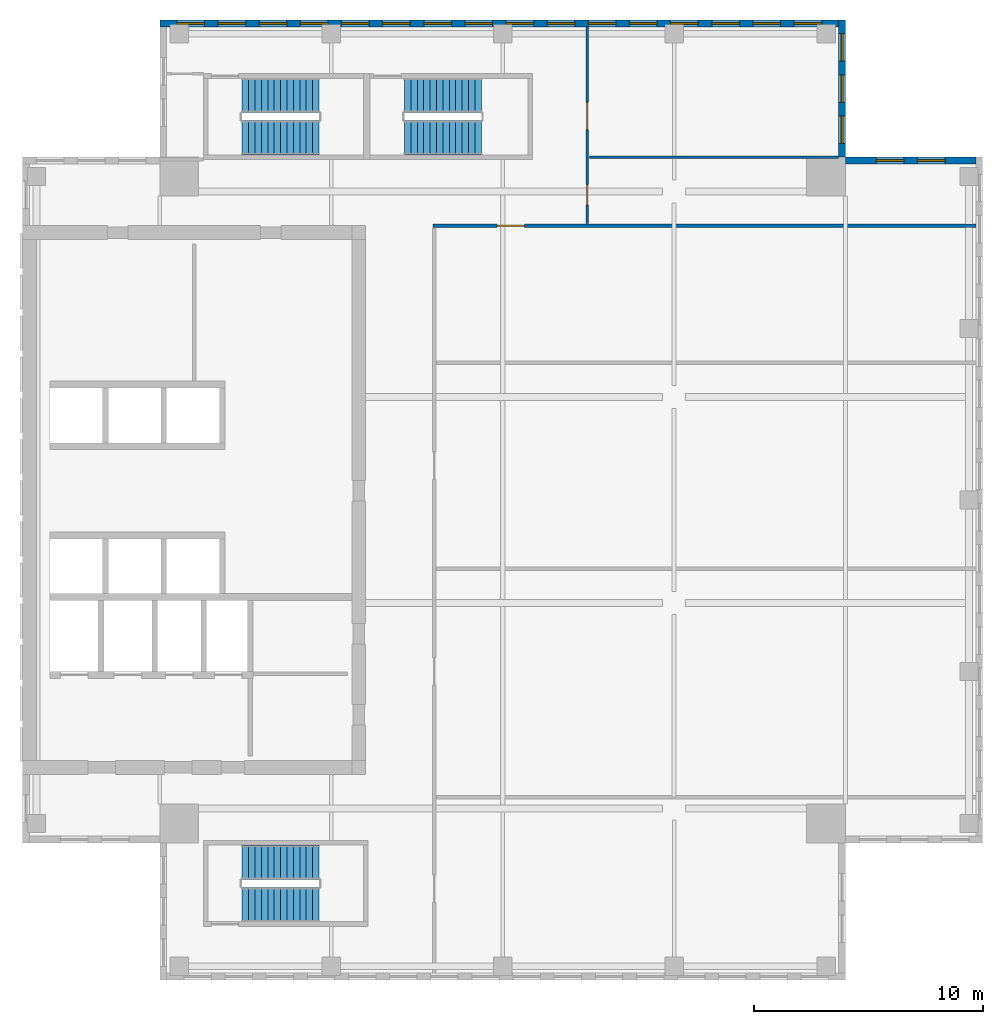
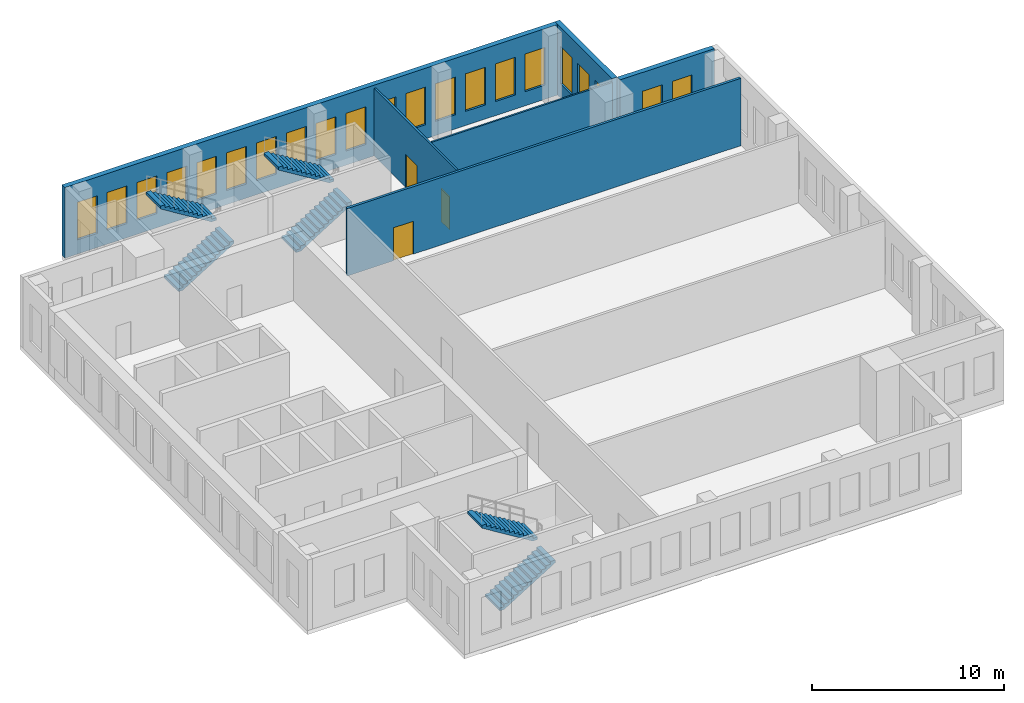
# One storey, part 5 of 6: 21 windows, 6 stair flights, 6 walls, 3 doors, 24 openings, 3 elements without a shape of their own.
"""IFC4 building model written with IfcOpenShell, lengths in metres."""

from ifc_helpers import new_model, si_unit, direction, frame, frame_2d, origin, place, context, subcontext, project, spatial, polyline, rectangle, outline, extrude, source, transform, mapped, material, layer, layer_set, type_object, element, fill, aggregate, save


model = new_model("IFC4")

# Units and contexts
model_context = context("Model", 3, precision=1e-05, world=origin(), true_north=direction((0.0, 1.0)))
body_context = subcontext(model_context, "Body", "Model", "MODEL_VIEW")
ifc_project = project(units=[si_unit("LENGTHUNIT", "METRE"), si_unit("AREAUNIT", "SQUARE_METRE"), si_unit("VOLUMEUNIT", "CUBIC_METRE"), si_unit("PLANEANGLEUNIT", "RADIAN"), si_unit("MASSUNIT", "GRAM", prefix="KILO")], contexts=[model_context])

# Site, building, storey
site_placement = place(None, origin())
site = spatial("IfcSite", under=ifc_project, at=site_placement, CompositionType="ELEMENT")
building_placement = place(site_placement, origin())
building = spatial("IfcBuilding", under=site, at=building_placement, Name="Khomas Fold Tower", CompositionType="ELEMENT")
storey_placement = place(building_placement, frame((0.0, 0.0, 330.199951171875)))
storey = spatial("IfcBuildingStorey", under=building, at=storey_placement, Name="C1", CompositionType="ELEMENT", Elevation=330.199951171875)

# Wall, openings, windows
ifc_material_1 = material(Name="Concrete C40/50", Category="concrete")
ifc_layer_1 = layer(ifc_material_1, 0.300048828125)
ifc_layer_set_1 = layer_set([ifc_layer_1], Name="Concrete C40/50")
wall_type_1 = type_object("IfcWallType", Name="Crown gable wall 300 CR-GW1", PredefinedType="SOLIDWALL", material=ifc_layer_set_1)
shared_shape_1 = source(origin(), body_context, "Body", "SweptSolid", [
    extrude(rectangle(XDim=29.699951171875, YDim=0.300048828125, at=frame_2d((14.85009765625, 0.0))), origin(), (0.0, 0.0, 1.0), 4.5),
])
wall_1_placement = place(storey_placement, frame((41.699951171875, 47.85009765625, 0.0), z_axis=(0.0, 0.0, 1.0), x_axis=(-1.0, 0.0, 0.0)))
wall_1 = element("IfcWall", 1, at=wall_1_placement, inside=storey, type_object=wall_type_1, Name="Crown wall", PredefinedType="SOLIDWALL", context=body_context, shape_type="MappedRepresentation", body=[
    mapped(shared_shape_1, transform((0.0, 0.0, 0.0))),
])
shared_shape_2 = source(origin(), body_context, "Body", "SweptSolid", [
    extrude(rectangle(XDim=1.199951171875, YDim=2.39990234375, at=frame_2d((0.60009765625, 1.199951171875))), frame((0.0, 0.159912109375, 0.0), z_axis=(0.0, -1.0, 0.0), x_axis=(1.0, 0.0, 0.0)), (0.0, 0.0, 1.0), 0.320068359375),
])
opening_1_placement = place(wall_1_placement, frame((0.75, 0.0, 0.89990234375)))
opening_1 = element("IfcOpeningElement", 2, at=opening_1_placement, cuts=wall_1, Name="Opening CR-LV", PredefinedType="OPENING", context=body_context, shape_type="MappedRepresentation", body=[
    mapped(shared_shape_2, transform((0.0, 0.0, 0.0))),
])
opening_2_placement = place(wall_1_placement, frame((2.550048828125, 0.0, 0.89990234375)))
opening_2 = element("IfcOpeningElement", 3, at=opening_2_placement, cuts=wall_1, Name="Opening CR-LV", PredefinedType="OPENING", context=body_context, shape_type="MappedRepresentation", body=[
    mapped(shared_shape_2, transform((0.0, 0.0, 0.0))),
])
opening_3_placement = place(wall_1_placement, frame((4.35009765625, 0.0, 0.89990234375)))
opening_3 = element("IfcOpeningElement", 4, at=opening_3_placement, cuts=wall_1, Name="Opening CR-LV", PredefinedType="OPENING", context=body_context, shape_type="MappedRepresentation", body=[
    mapped(shared_shape_2, transform((0.0, 0.0, 0.0))),
])
opening_4_placement = place(wall_1_placement, frame((6.14990234375, 0.0, 0.89990234375)))
opening_4 = element("IfcOpeningElement", 5, at=opening_4_placement, cuts=wall_1, Name="Opening CR-LV", PredefinedType="OPENING", context=body_context, shape_type="MappedRepresentation", body=[
    mapped(shared_shape_2, transform((0.0, 0.0, 0.0))),
])
opening_5_placement = place(wall_1_placement, frame((7.949951171875, 0.0, 0.89990234375)))
opening_5 = element("IfcOpeningElement", 6, at=opening_5_placement, cuts=wall_1, Name="Opening CR-LV", PredefinedType="OPENING", context=body_context, shape_type="MappedRepresentation", body=[
    mapped(shared_shape_2, transform((0.0, 0.0, 0.0))),
])
opening_6_placement = place(wall_1_placement, frame((9.75, 0.0, 0.89990234375)))
opening_6 = element("IfcOpeningElement", 7, at=opening_6_placement, cuts=wall_1, Name="Opening CR-LV", PredefinedType="OPENING", context=body_context, shape_type="MappedRepresentation", body=[
    mapped(shared_shape_2, transform((0.0, 0.0, 0.0))),
])
opening_7_placement = place(wall_1_placement, frame((11.550048828125, 0.0, 0.89990234375)))
opening_7 = element("IfcOpeningElement", 8, at=opening_7_placement, cuts=wall_1, Name="Opening CR-LV", PredefinedType="OPENING", context=body_context, shape_type="MappedRepresentation", body=[
    mapped(shared_shape_2, transform((0.0, 0.0, 0.0))),
])
opening_8_placement = place(wall_1_placement, frame((13.35009765625, 0.0, 0.89990234375)))
opening_8 = element("IfcOpeningElement", 9, at=opening_8_placement, cuts=wall_1, Name="Opening CR-LV", PredefinedType="OPENING", context=body_context, shape_type="MappedRepresentation", body=[
    mapped(shared_shape_2, transform((0.0, 0.0, 0.0))),
])
opening_9_placement = place(wall_1_placement, frame((15.14990234375, 0.0, 0.89990234375)))
opening_9 = element("IfcOpeningElement", 10, at=opening_9_placement, cuts=wall_1, Name="Opening CR-LV", PredefinedType="OPENING", context=body_context, shape_type="MappedRepresentation", body=[
    mapped(shared_shape_2, transform((0.0, 0.0, 0.0))),
])
opening_10_placement = place(wall_1_placement, frame((16.949951171875, 0.0, 0.89990234375)))
opening_10 = element("IfcOpeningElement", 11, at=opening_10_placement, cuts=wall_1, Name="Opening CR-LV", PredefinedType="OPENING", context=body_context, shape_type="MappedRepresentation", body=[
    mapped(shared_shape_2, transform((0.0, 0.0, 0.0))),
])
opening_11_placement = place(wall_1_placement, frame((18.75, 0.0, 0.89990234375)))
opening_11 = element("IfcOpeningElement", 12, at=opening_11_placement, cuts=wall_1, Name="Opening CR-LV", PredefinedType="OPENING", context=body_context, shape_type="MappedRepresentation", body=[
    mapped(shared_shape_2, transform((0.0, 0.0, 0.0))),
])
opening_12_placement = place(wall_1_placement, frame((20.550048828125, 0.0, 0.89990234375)))
opening_12 = element("IfcOpeningElement", 13, at=opening_12_placement, cuts=wall_1, Name="Opening CR-LV", PredefinedType="OPENING", context=body_context, shape_type="MappedRepresentation", body=[
    mapped(shared_shape_2, transform((0.0, 0.0, 0.0))),
])
opening_13_placement = place(wall_1_placement, frame((22.35009765625, 0.0, 0.89990234375)))
opening_13 = element("IfcOpeningElement", 14, at=opening_13_placement, cuts=wall_1, Name="Opening CR-LV", PredefinedType="OPENING", context=body_context, shape_type="MappedRepresentation", body=[
    mapped(shared_shape_2, transform((0.0, 0.0, 0.0))),
])
opening_14_placement = place(wall_1_placement, frame((24.14990234375, 0.0, 0.89990234375)))
opening_14 = element("IfcOpeningElement", 15, at=opening_14_placement, cuts=wall_1, Name="Opening CR-LV", PredefinedType="OPENING", context=body_context, shape_type="MappedRepresentation", body=[
    mapped(shared_shape_2, transform((0.0, 0.0, 0.0))),
])
opening_15_placement = place(wall_1_placement, frame((25.949951171875, 0.0, 0.89990234375)))
opening_15 = element("IfcOpeningElement", 16, at=opening_15_placement, cuts=wall_1, Name="Opening CR-LV", PredefinedType="OPENING", context=body_context, shape_type="MappedRepresentation", body=[
    mapped(shared_shape_2, transform((0.0, 0.0, 0.0))),
])
opening_16_placement = place(wall_1_placement, frame((27.75, 0.0, 0.89990234375)))
opening_16 = element("IfcOpeningElement", 17, at=opening_16_placement, cuts=wall_1, Name="Opening CR-LV", PredefinedType="OPENING", context=body_context, shape_type="MappedRepresentation", body=[
    mapped(shared_shape_2, transform((0.0, 0.0, 0.0))),
])
ifc_material_2 = material(Name="Aluminium louvre", Category="aluminium")
window_type = type_object("IfcWindowType", Name="Crown plant louvre 1200 x 2400", PartitioningType="SINGLE_PANEL", PredefinedType="WINDOW", material=ifc_material_2)
shared_shape_3 = source(origin(), body_context, "Body", "SweptSolid", [
    extrude(rectangle(XDim=1.199951171875, YDim=2.39990234375, at=frame_2d((0.60009765625, 1.199951171875))), frame((0.0, 0.030029296875, 0.0), z_axis=(0.0, -1.0, 0.0), x_axis=(1.0, 0.0, 0.0)), (0.0, 0.0, 1.0), 0.06005859375),
])
window_1_placement = place(opening_1_placement, origin())
window_1 = element("IfcWindow", 18, at=window_1_placement, inside=storey, type_object=window_type, Name="Crown plant louvre", OverallHeight=2.39990234375, OverallWidth=1.199951171875, PartitioningType="SINGLE_PANEL", PredefinedType="WINDOW", context=body_context, shape_type="MappedRepresentation", body=[
    mapped(shared_shape_3, transform((0.0, 0.0, 0.0))),
])
fill(opening_1, window_1)
window_2_placement = place(opening_2_placement, origin())
window_2 = element("IfcWindow", 19, at=window_2_placement, inside=storey, type_object=window_type, Name="Crown plant louvre", OverallHeight=2.39990234375, OverallWidth=1.199951171875, PartitioningType="SINGLE_PANEL", PredefinedType="WINDOW", context=body_context, shape_type="MappedRepresentation", body=[
    mapped(shared_shape_3, transform((0.0, 0.0, 0.0))),
])
fill(opening_2, window_2)
window_3_placement = place(opening_3_placement, origin())
window_3 = element("IfcWindow", 20, at=window_3_placement, inside=storey, type_object=window_type, Name="Crown plant louvre", OverallHeight=2.39990234375, OverallWidth=1.199951171875, PartitioningType="SINGLE_PANEL", PredefinedType="WINDOW", context=body_context, shape_type="MappedRepresentation", body=[
    mapped(shared_shape_3, transform((0.0, 0.0, 0.0))),
])
fill(opening_3, window_3)
window_4_placement = place(opening_4_placement, origin())
window_4 = element("IfcWindow", 21, at=window_4_placement, inside=storey, type_object=window_type, Name="Crown plant louvre", OverallHeight=2.39990234375, OverallWidth=1.199951171875, PartitioningType="SINGLE_PANEL", PredefinedType="WINDOW", context=body_context, shape_type="MappedRepresentation", body=[
    mapped(shared_shape_3, transform((0.0, 0.0, 0.0))),
])
fill(opening_4, window_4)
window_5_placement = place(opening_5_placement, origin())
window_5 = element("IfcWindow", 22, at=window_5_placement, inside=storey, type_object=window_type, Name="Crown plant louvre", OverallHeight=2.39990234375, OverallWidth=1.199951171875, PartitioningType="SINGLE_PANEL", PredefinedType="WINDOW", context=body_context, shape_type="MappedRepresentation", body=[
    mapped(shared_shape_3, transform((0.0, 0.0, 0.0))),
])
fill(opening_5, window_5)
window_6_placement = place(opening_6_placement, origin())
window_6 = element("IfcWindow", 23, at=window_6_placement, inside=storey, type_object=window_type, Name="Crown plant louvre", OverallHeight=2.39990234375, OverallWidth=1.199951171875, PartitioningType="SINGLE_PANEL", PredefinedType="WINDOW", context=body_context, shape_type="MappedRepresentation", body=[
    mapped(shared_shape_3, transform((0.0, 0.0, 0.0))),
])
fill(opening_6, window_6)
window_7_placement = place(opening_7_placement, origin())
window_7 = element("IfcWindow", 24, at=window_7_placement, inside=storey, type_object=window_type, Name="Crown plant louvre", OverallHeight=2.39990234375, OverallWidth=1.199951171875, PartitioningType="SINGLE_PANEL", PredefinedType="WINDOW", context=body_context, shape_type="MappedRepresentation", body=[
    mapped(shared_shape_3, transform((0.0, 0.0, 0.0))),
])
fill(opening_7, window_7)
window_8_placement = place(opening_8_placement, origin())
window_8 = element("IfcWindow", 25, at=window_8_placement, inside=storey, type_object=window_type, Name="Crown plant louvre", OverallHeight=2.39990234375, OverallWidth=1.199951171875, PartitioningType="SINGLE_PANEL", PredefinedType="WINDOW", context=body_context, shape_type="MappedRepresentation", body=[
    mapped(shared_shape_3, transform((0.0, 0.0, 0.0))),
])
fill(opening_8, window_8)
window_9_placement = place(opening_9_placement, origin())
window_9 = element("IfcWindow", 26, at=window_9_placement, inside=storey, type_object=window_type, Name="Crown plant louvre", OverallHeight=2.39990234375, OverallWidth=1.199951171875, PartitioningType="SINGLE_PANEL", PredefinedType="WINDOW", context=body_context, shape_type="MappedRepresentation", body=[
    mapped(shared_shape_3, transform((0.0, 0.0, 0.0))),
])
fill(opening_9, window_9)
window_10_placement = place(opening_10_placement, origin())
window_10 = element("IfcWindow", 27, at=window_10_placement, inside=storey, type_object=window_type, Name="Crown plant louvre", OverallHeight=2.39990234375, OverallWidth=1.199951171875, PartitioningType="SINGLE_PANEL", PredefinedType="WINDOW", context=body_context, shape_type="MappedRepresentation", body=[
    mapped(shared_shape_3, transform((0.0, 0.0, 0.0))),
])
fill(opening_10, window_10)
window_11_placement = place(opening_11_placement, origin())
window_11 = element("IfcWindow", 28, at=window_11_placement, inside=storey, type_object=window_type, Name="Crown plant louvre", OverallHeight=2.39990234375, OverallWidth=1.199951171875, PartitioningType="SINGLE_PANEL", PredefinedType="WINDOW", context=body_context, shape_type="MappedRepresentation", body=[
    mapped(shared_shape_3, transform((0.0, 0.0, 0.0))),
])
fill(opening_11, window_11)
window_12_placement = place(opening_12_placement, origin())
window_12 = element("IfcWindow", 29, at=window_12_placement, inside=storey, type_object=window_type, Name="Crown plant louvre", OverallHeight=2.39990234375, OverallWidth=1.199951171875, PartitioningType="SINGLE_PANEL", PredefinedType="WINDOW", context=body_context, shape_type="MappedRepresentation", body=[
    mapped(shared_shape_3, transform((0.0, 0.0, 0.0))),
])
fill(opening_12, window_12)
window_13_placement = place(opening_13_placement, origin())
window_13 = element("IfcWindow", 30, at=window_13_placement, inside=storey, type_object=window_type, Name="Crown plant louvre", OverallHeight=2.39990234375, OverallWidth=1.199951171875, PartitioningType="SINGLE_PANEL", PredefinedType="WINDOW", context=body_context, shape_type="MappedRepresentation", body=[
    mapped(shared_shape_3, transform((0.0, 0.0, 0.0))),
])
fill(opening_13, window_13)
window_14_placement = place(opening_14_placement, origin())
window_14 = element("IfcWindow", 31, at=window_14_placement, inside=storey, type_object=window_type, Name="Crown plant louvre", OverallHeight=2.39990234375, OverallWidth=1.199951171875, PartitioningType="SINGLE_PANEL", PredefinedType="WINDOW", context=body_context, shape_type="MappedRepresentation", body=[
    mapped(shared_shape_3, transform((0.0, 0.0, 0.0))),
])
fill(opening_14, window_14)
window_15_placement = place(opening_15_placement, origin())
window_15 = element("IfcWindow", 32, at=window_15_placement, inside=storey, type_object=window_type, Name="Crown plant louvre", OverallHeight=2.39990234375, OverallWidth=1.199951171875, PartitioningType="SINGLE_PANEL", PredefinedType="WINDOW", context=body_context, shape_type="MappedRepresentation", body=[
    mapped(shared_shape_3, transform((0.0, 0.0, 0.0))),
])
fill(opening_15, window_15)
window_16_placement = place(opening_16_placement, origin())
window_16 = element("IfcWindow", 33, at=window_16_placement, inside=storey, type_object=window_type, Name="Crown plant louvre", OverallHeight=2.39990234375, OverallWidth=1.199951171875, PartitioningType="SINGLE_PANEL", PredefinedType="WINDOW", context=body_context, shape_type="MappedRepresentation", body=[
    mapped(shared_shape_3, transform((0.0, 0.0, 0.0))),
])
fill(opening_16, window_16)

shared_shape_4 = source(origin(), body_context, "Body", "SweptSolid", [
    extrude(rectangle(XDim=5.699951171875, YDim=0.300048828125, at=frame_2d((2.85009765625, 0.0))), origin(), (0.0, 0.0, 1.0), 4.5),
])
wall_2_placement = place(storey_placement, frame((47.699951171875, 41.85009765625, 0.0), z_axis=(0.0, 0.0, 1.0), x_axis=(-1.0, 0.0, 0.0)))
wall_2 = element("IfcWall", 34, at=wall_2_placement, inside=storey, type_object=wall_type_1, Name="Crown wall", PredefinedType="SOLIDWALL", context=body_context, shape_type="MappedRepresentation", body=[
    mapped(shared_shape_4, transform((0.0, 0.0, 0.0))),
])
opening_17_placement = place(wall_2_placement, frame((1.35009765625, 0.0, 0.89990234375)))
opening_17 = element("IfcOpeningElement", 35, at=opening_17_placement, cuts=wall_2, Name="Opening CR-LV", PredefinedType="OPENING", context=body_context, shape_type="MappedRepresentation", body=[
    mapped(shared_shape_2, transform((0.0, 0.0, 0.0))),
])
opening_18_placement = place(wall_2_placement, frame((3.14990234375, 0.0, 0.89990234375)))
opening_18 = element("IfcOpeningElement", 36, at=opening_18_placement, cuts=wall_2, Name="Opening CR-LV", PredefinedType="OPENING", context=body_context, shape_type="MappedRepresentation", body=[
    mapped(shared_shape_2, transform((0.0, 0.0, 0.0))),
])
window_17_placement = place(opening_17_placement, origin())
window_17 = element("IfcWindow", 37, at=window_17_placement, inside=storey, type_object=window_type, Name="Crown plant louvre", OverallHeight=2.39990234375, OverallWidth=1.199951171875, PartitioningType="SINGLE_PANEL", PredefinedType="WINDOW", context=body_context, shape_type="MappedRepresentation", body=[
    mapped(shared_shape_3, transform((0.0, 0.0, 0.0))),
])
fill(opening_17, window_17)
window_18_placement = place(opening_18_placement, origin())
window_18 = element("IfcWindow", 38, at=window_18_placement, inside=storey, type_object=window_type, Name="Crown plant louvre", OverallHeight=2.39990234375, OverallWidth=1.199951171875, PartitioningType="SINGLE_PANEL", PredefinedType="WINDOW", context=body_context, shape_type="MappedRepresentation", body=[
    mapped(shared_shape_3, transform((0.0, 0.0, 0.0))),
])
fill(opening_18, window_18)

shared_shape_5 = source(origin(), body_context, "Body", "SweptSolid", [
    extrude(rectangle(XDim=6.0, YDim=0.300048828125, at=frame_2d((3.0, 0.0))), origin(), (0.0, 0.0, 1.0), 4.5),
])
wall_3_placement = place(storey_placement, frame((41.85009765625, 42.0, 0.0), z_axis=(0.0, 0.0, 1.0), x_axis=(0.0, 1.0, 0.0)))
wall_3 = element("IfcWall", 39, at=wall_3_placement, inside=storey, type_object=wall_type_1, Name="Crown wall", PredefinedType="SOLIDWALL", context=body_context, shape_type="MappedRepresentation", body=[
    mapped(shared_shape_5, transform((0.0, 0.0, 0.0))),
])
opening_19_placement = place(wall_3_placement, frame((0.60009765625, 0.0, 0.89990234375)))
opening_19 = element("IfcOpeningElement", 40, at=opening_19_placement, cuts=wall_3, Name="Opening CR-LV", PredefinedType="OPENING", context=body_context, shape_type="MappedRepresentation", body=[
    mapped(shared_shape_2, transform((0.0, 0.0, 0.0))),
])
opening_20_placement = place(wall_3_placement, frame((2.39990234375, 0.0, 0.89990234375)))
opening_20 = element("IfcOpeningElement", 41, at=opening_20_placement, cuts=wall_3, Name="Opening CR-LV", PredefinedType="OPENING", context=body_context, shape_type="MappedRepresentation", body=[
    mapped(shared_shape_2, transform((0.0, 0.0, 0.0))),
])
opening_21_placement = place(wall_3_placement, frame((4.199951171875, 0.0, 0.89990234375)))
opening_21 = element("IfcOpeningElement", 42, at=opening_21_placement, cuts=wall_3, Name="Opening CR-LV", PredefinedType="OPENING", context=body_context, shape_type="MappedRepresentation", body=[
    mapped(shared_shape_2, transform((0.0, 0.0, 0.0))),
])
window_19_placement = place(opening_19_placement, origin())
window_19 = element("IfcWindow", 43, at=window_19_placement, inside=storey, type_object=window_type, Name="Crown plant louvre", OverallHeight=2.39990234375, OverallWidth=1.199951171875, PartitioningType="SINGLE_PANEL", PredefinedType="WINDOW", context=body_context, shape_type="MappedRepresentation", body=[
    mapped(shared_shape_3, transform((0.0, 0.0, 0.0))),
])
fill(opening_19, window_19)
window_20_placement = place(opening_20_placement, origin())
window_20 = element("IfcWindow", 44, at=window_20_placement, inside=storey, type_object=window_type, Name="Crown plant louvre", OverallHeight=2.39990234375, OverallWidth=1.199951171875, PartitioningType="SINGLE_PANEL", PredefinedType="WINDOW", context=body_context, shape_type="MappedRepresentation", body=[
    mapped(shared_shape_3, transform((0.0, 0.0, 0.0))),
])
fill(opening_20, window_20)
window_21_placement = place(opening_21_placement, origin())
window_21 = element("IfcWindow", 45, at=window_21_placement, inside=storey, type_object=window_type, Name="Crown plant louvre", OverallHeight=2.39990234375, OverallWidth=1.199951171875, PartitioningType="SINGLE_PANEL", PredefinedType="WINDOW", context=body_context, shape_type="MappedRepresentation", body=[
    mapped(shared_shape_3, transform((0.0, 0.0, 0.0))),
])
fill(opening_21, window_21)

# Wall, opening, door
ifc_material_3 = material(Name="Plasterboard fire partition")
ifc_layer_2 = layer(ifc_material_3, 0.14990234375)
ifc_layer_set_2 = layer_set([ifc_layer_2], Name="Plasterboard fire partition")
wall_type_2 = type_object("IfcWallType", Name="Plant room wall PW3 150", PredefinedType="PARTITIONING", material=ifc_layer_set_2)
shared_shape_6 = source(origin(), body_context, "Body", "SweptSolid", [
    extrude(rectangle(XDim=23.75, YDim=0.14990234375, at=frame_2d((11.875, 0.0))), origin(), (0.0, 0.0, 1.0), 4.300048828125),
])
wall_4_placement = place(storey_placement, frame((23.949951171875, 39.0, 0.0), z_axis=(0.0, 0.0, 1.0), x_axis=(1.0, 0.0, 0.0)))
wall_4 = element("IfcWall", 46, at=wall_4_placement, inside=storey, type_object=wall_type_2, Name="Plant room wall", PredefinedType="PARTITIONING", context=body_context, shape_type="MappedRepresentation", body=[
    mapped(shared_shape_6, transform((0.0, 0.0, 0.0))),
])
shared_shape_7 = source(origin(), body_context, "Body", "SweptSolid", [
    extrude(rectangle(XDim=1.199951171875, YDim=2.10009765625, at=frame_2d((0.60009765625, 1.050048828125))), frame((0.0, 0.0849609375, 0.0), z_axis=(0.0, -1.0, 0.0), x_axis=(1.0, 0.0, 0.0)), (0.0, 0.0, 1.0), 0.169921875),
])
opening_22_placement = place(wall_4_placement, frame((2.800048828125, 0.0, 0.0)))
opening_22 = element("IfcOpeningElement", 47, at=opening_22_placement, cuts=wall_4, Name="Opening 0012", PredefinedType="OPENING", context=body_context, shape_type="MappedRepresentation", body=[
    mapped(shared_shape_7, transform((0.0, 0.0, 0.0))),
])
ifc_material_4 = material(Name="Steel door leaf", Category="steel")
door_type_1 = type_object("IfcDoorType", Name="Plant room door 1200x2100 left-hand", OperationType="SINGLE_SWING_LEFT", PredefinedType="DOOR", material=ifc_material_4)
shared_shape_8 = source(origin(), body_context, "Body", "SweptSolid", [
    extrude(rectangle(XDim=1.199951171875, YDim=2.10009765625, at=frame_2d((0.60009765625, 1.050048828125))), frame((0.0, 0.02490234375, 0.0), z_axis=(0.0, -1.0, 0.0), x_axis=(1.0, 0.0, 0.0)), (0.0, 0.0, 1.0), 0.050048828125),
])
door_1_placement = place(opening_22_placement, origin())
door_1 = element("IfcDoor", 48, at=door_1_placement, inside=storey, type_object=door_type_1, Name="Plant room door", OperationType="SINGLE_SWING_LEFT", OverallHeight=2.10009765625, OverallWidth=1.199951171875, PredefinedType="DOOR", context=body_context, shape_type="MappedRepresentation", body=[
    mapped(shared_shape_8, transform((0.0, 0.0, 0.0))),
])
fill(opening_22, door_1)

# Wall, openings, doors
ifc_material_5 = material(Name="Plasterboard partition")
ifc_layer_3 = layer(ifc_material_5, 0.125)
ifc_layer_set_3 = layer_set([ifc_layer_3], Name="Plasterboard partition")
wall_type_3 = type_object("IfcWallType", Name="Partition PW2 125", PredefinedType="PARTITIONING", material=ifc_layer_set_3)
shared_shape_9 = source(origin(), body_context, "Body", "SweptSolid", [
    extrude(rectangle(XDim=8.599853515625, YDim=0.125, at=frame_2d((4.2998046875, 0.0))), origin(), (0.0, 0.0, 1.0), 4.300048828125),
])
wall_5_placement = place(storey_placement, frame((30.699951171875, 39.10009765625, 0.0), z_axis=(0.0, 0.0, 1.0), x_axis=(0.0, 1.0, 0.0)))
wall_5 = element("IfcWall", 49, at=wall_5_placement, inside=storey, type_object=wall_type_3, Name="Partition", PredefinedType="PARTITIONING", context=body_context, shape_type="MappedRepresentation", body=[
    mapped(shared_shape_9, transform((0.0, 0.0, 0.0))),
])
shared_shape_10 = source(origin(), body_context, "Body", "SweptSolid", [
    extrude(rectangle(XDim=0.89990234375, YDim=2.10009765625, at=frame_2d((0.449951171875, 1.050048828125))), frame((0.0, 0.072509765625, 0.0), z_axis=(0.0, -1.0, 0.0), x_axis=(1.0, 0.0, 0.0)), (0.0, 0.0, 1.0), 0.14501953125),
])
opening_23_placement = place(wall_5_placement, frame((0.800048828125, 0.0, 0.0)))
opening_23 = element("IfcOpeningElement", 50, at=opening_23_placement, cuts=wall_5, Name="Opening 0005", PredefinedType="OPENING", context=body_context, shape_type="MappedRepresentation", body=[
    mapped(shared_shape_10, transform((0.0, 0.0, 0.0))),
])
shared_shape_11 = source(origin(), body_context, "Body", "SweptSolid", [
    extrude(rectangle(XDim=1.199951171875, YDim=2.10009765625, at=frame_2d((0.60009765625, 1.050048828125))), frame((0.0, 0.072509765625, 0.0), z_axis=(0.0, -1.0, 0.0), x_axis=(1.0, 0.0, 0.0)), (0.0, 0.0, 1.0), 0.14501953125),
])
opening_24_placement = place(wall_5_placement, frame((4.10009765625, 0.0, 0.0)))
opening_24 = element("IfcOpeningElement", 51, at=opening_24_placement, cuts=wall_5, Name="Opening 0013", PredefinedType="OPENING", context=body_context, shape_type="MappedRepresentation", body=[
    mapped(shared_shape_11, transform((0.0, 0.0, 0.0))),
])
ifc_material_6 = material(Name="Timber door leaf", Category="wood")
door_type_2 = type_object("IfcDoorType", Name="WC door 900x2100 left-hand", OperationType="SINGLE_SWING_LEFT", PredefinedType="DOOR", material=ifc_material_6)
shared_shape_12 = source(origin(), body_context, "Body", "SweptSolid", [
    extrude(rectangle(XDim=0.89990234375, YDim=2.10009765625, at=frame_2d((0.449951171875, 1.050048828125))), frame((0.0, 0.02490234375, 0.0), z_axis=(0.0, -1.0, 0.0), x_axis=(1.0, 0.0, 0.0)), (0.0, 0.0, 1.0), 0.050048828125),
])
door_2_placement = place(opening_23_placement, origin())
door_2 = element("IfcDoor", 52, at=door_2_placement, inside=storey, type_object=door_type_2, Name="WC door", OperationType="SINGLE_SWING_LEFT", OverallHeight=2.10009765625, OverallWidth=0.89990234375, PredefinedType="DOOR", context=body_context, shape_type="MappedRepresentation", body=[
    mapped(shared_shape_12, transform((0.0, 0.0, 0.0))),
])
fill(opening_23, door_2)
ifc_material_7 = material(Name="Timber door leaf", Category="wood")
door_type_3 = type_object("IfcDoorType", Name="Door 1200x2100 left-hand", OperationType="SINGLE_SWING_LEFT", PredefinedType="DOOR", material=ifc_material_7)
door_3_placement = place(opening_24_placement, origin())
door_3 = element("IfcDoor", 53, at=door_3_placement, inside=storey, type_object=door_type_3, Name="Door", OperationType="SINGLE_SWING_LEFT", OverallHeight=2.10009765625, OverallWidth=1.199951171875, PredefinedType="DOOR", context=body_context, shape_type="MappedRepresentation", body=[
    mapped(shared_shape_8, transform((0.0, 0.0, 0.0))),
])
fill(opening_24, door_3)

# Wall
ifc_material_8 = material(Name="Plasterboard partition")
ifc_layer_4 = layer(ifc_material_8, 0.10009765625)
ifc_layer_set_4 = layer_set([ifc_layer_4], Name="Plasterboard partition")
wall_type_4 = type_object("IfcWallType", Name="Partition PW1 100", PredefinedType="PARTITIONING", material=ifc_layer_set_4)
shared_shape_13 = source(origin(), body_context, "Body", "SweptSolid", [
    extrude(rectangle(XDim=10.89990234375, YDim=0.10009765625, at=frame_2d((5.449951171875, 0.0))), origin(), (0.0, 0.0, 1.0), 4.300048828125),
])
wall_6_placement = place(storey_placement, frame((30.800048828125, 42.0, 0.0), z_axis=(0.0, 0.0, 1.0), x_axis=(1.0, 0.0, 0.0)))
element("IfcWall", 54, at=wall_6_placement, inside=storey, type_object=wall_type_4, Name="Partition", PredefinedType="PARTITIONING", context=body_context, shape_type="MappedRepresentation", body=[
    mapped(shared_shape_13, transform((0.0, 0.0, 0.0))),
])

# Stair, stair flights
ifc_material_9 = material(Name="Concrete C40/50", Category="concrete")
stair_type_1 = type_object("IfcStairType", Name="Stair ST1", PredefinedType="HALF_TURN_STAIR", material=ifc_material_9)
stair_1_placement = place(storey_placement, origin())
stair_1 = element("IfcStair", 55, at=stair_1_placement, inside=storey, type_object=stair_type_1, Name="C1 ST1", PredefinedType="HALF_TURN_STAIR")
ifc_material_10 = material(Name="Concrete C40/50", Category="concrete")
stair_flight_type_1 = type_object("IfcStairFlightType", Name="Stair flight 1500 ST1", PredefinedType="STRAIGHT", material=ifc_material_10)
shared_shape_14 = source(origin(), body_context, "Body", "SweptSolid", [
    extrude(outline(polyline([(0.0, 0.0), (0.0, 0.013427734375), (0.0, 0.026611328125), (0.0, 0.0400390625), (0.0, 0.05322265625), (0.0, 0.066650390625), (0.0, 0.079833984375), (0.0, 0.09326171875), (0.0, 0.1064453125), (0.0, 0.119873046875), (0.0, 0.133056640625), (0.0, 0.146484375), (0.0, 0.15966796875), (0.0, 0.173095703125), (0.280029296875, 0.173095703125), (0.280029296875, 0.34619140625), (0.56005859375, 0.34619140625), (0.56005859375, 0.519287109375), (0.840087890625, 0.519287109375), (0.840087890625, 0.6923828125), (1.1201171875, 0.6923828125), (1.1201171875, 0.865478515625), (1.39990234375, 0.865478515625), (1.39990234375, 1.03857421875), (1.679931640625, 1.03857421875), (1.679931640625, 1.21142578125), (1.9599609375, 1.21142578125), (1.9599609375, 1.384521484375), (2.239990234375, 1.384521484375), (2.239990234375, 1.5576171875), (2.52001953125, 1.5576171875), (2.52001953125, 1.730712890625), (2.800048828125, 1.730712890625), (2.800048828125, 1.90380859375), (3.080078125, 1.90380859375), (3.080078125, 2.076904296875), (3.360107421875, 2.076904296875), (3.360107421875, 2.25), (3.360107421875, 2.22314453125), (3.360107421875, 2.1962890625), (3.360107421875, 2.16943359375), (3.360107421875, 2.142578125), (3.360107421875, 2.11572265625), (3.360107421875, 2.0888671875), (3.360107421875, 2.06201171875), (3.360107421875, 2.03515625), (3.360107421875, 2.008056640625), (3.360107421875, 1.981201171875), (3.360107421875, 1.954345703125), (3.360107421875, 1.927490234375), (3.360107421875, 1.900634765625), (0.28515625, 0.0), (0.0, 0.0)])), frame((0.0, 0.75, 0.0), z_axis=(0.0, -1.0, 0.0), x_axis=(1.0, 0.0, 0.0)), (0.0, 0.0, 1.0), 1.5),
])
stair_flight_1_placement = place(storey_placement, frame((15.60009765625, 42.85009765625, 0.0), z_axis=(0.0, 0.0, 1.0), x_axis=(1.0, 0.0, 0.0)))
stair_flight_1 = element("IfcStairFlight", 56, at=stair_flight_1_placement, type_object=stair_flight_type_1, Name="ST1 flight 1", NumberOfRisers=13, NumberOfTreads=12, PredefinedType="STRAIGHT", RiserHeight=0.173076923, TreadLength=0.28, context=body_context, shape_type="MappedRepresentation", body=[
    mapped(shared_shape_14, transform((0.0, 0.0, 0.0))),
])
stair_flight_2_placement = place(storey_placement, frame((18.9599609375, 44.699951171875, 2.25), z_axis=(0.0, 0.0, 1.0), x_axis=(-1.0, 0.0, 0.0)))
stair_flight_2 = element("IfcStairFlight", 57, at=stair_flight_2_placement, type_object=stair_flight_type_1, Name="ST1 flight 2", NumberOfRisers=13, NumberOfTreads=12, PredefinedType="STRAIGHT", RiserHeight=0.173076923, TreadLength=0.28, context=body_context, shape_type="MappedRepresentation", body=[
    mapped(shared_shape_14, transform((0.0, 0.0, 0.0))),
])
aggregate(stair_1, [stair_flight_1, stair_flight_2])

ifc_material_11 = material(Name="Concrete C40/50", Category="concrete")
stair_type_2 = type_object("IfcStairType", Name="Stair ST2", PredefinedType="HALF_TURN_STAIR", material=ifc_material_11)
stair_2_placement = place(storey_placement, origin())
stair_2 = element("IfcStair", 58, at=stair_2_placement, inside=storey, type_object=stair_type_2, Name="C1 ST2", PredefinedType="HALF_TURN_STAIR")
ifc_material_12 = material(Name="Concrete C40/50", Category="concrete")
stair_flight_type_2 = type_object("IfcStairFlightType", Name="Stair flight 1500 ST2", PredefinedType="STRAIGHT", material=ifc_material_12)
stair_flight_3_placement = place(storey_placement, frame((15.60009765625, 9.300048828125, 0.0), z_axis=(0.0, 0.0, 1.0), x_axis=(1.0, 0.0, 0.0)))
stair_flight_3 = element("IfcStairFlight", 59, at=stair_flight_3_placement, type_object=stair_flight_type_2, Name="ST2 flight 1", NumberOfRisers=13, NumberOfTreads=12, PredefinedType="STRAIGHT", RiserHeight=0.173076923, TreadLength=0.28, context=body_context, shape_type="MappedRepresentation", body=[
    mapped(shared_shape_14, transform((0.0, 0.0, 0.0))),
])
stair_flight_4_placement = place(storey_placement, frame((18.9599609375, 11.14990234375, 2.25), z_axis=(0.0, 0.0, 1.0), x_axis=(-1.0, 0.0, 0.0)))
stair_flight_4 = element("IfcStairFlight", 60, at=stair_flight_4_placement, type_object=stair_flight_type_2, Name="ST2 flight 2", NumberOfRisers=13, NumberOfTreads=12, PredefinedType="STRAIGHT", RiserHeight=0.173076923, TreadLength=0.28, context=body_context, shape_type="MappedRepresentation", body=[
    mapped(shared_shape_14, transform((0.0, 0.0, 0.0))),
])
aggregate(stair_2, [stair_flight_3, stair_flight_4])

ifc_material_13 = material(Name="Concrete C40/50", Category="concrete")
stair_type_3 = type_object("IfcStairType", Name="Stair ST3", PredefinedType="HALF_TURN_STAIR", material=ifc_material_13)
stair_3_placement = place(storey_placement, origin())
stair_3 = element("IfcStair", 61, at=stair_3_placement, inside=storey, type_object=stair_type_3, Name="C1 ST3", PredefinedType="HALF_TURN_STAIR")
ifc_material_14 = material(Name="Concrete C40/50", Category="concrete")
stair_flight_type_3 = type_object("IfcStairFlightType", Name="Stair flight 1500 ST3", PredefinedType="STRAIGHT", material=ifc_material_14)
stair_flight_5_placement = place(storey_placement, frame((22.699951171875, 42.85009765625, 0.0), z_axis=(0.0, 0.0, 1.0), x_axis=(1.0, 0.0, 0.0)))
stair_flight_5 = element("IfcStairFlight", 62, at=stair_flight_5_placement, type_object=stair_flight_type_3, Name="ST3 flight 1", NumberOfRisers=13, NumberOfTreads=12, PredefinedType="STRAIGHT", RiserHeight=0.173076923, TreadLength=0.28, context=body_context, shape_type="MappedRepresentation", body=[
    mapped(shared_shape_14, transform((0.0, 0.0, 0.0))),
])
stair_flight_6_placement = place(storey_placement, frame((26.06005859375, 44.699951171875, 2.25), z_axis=(0.0, 0.0, 1.0), x_axis=(-1.0, 0.0, 0.0)))
stair_flight_6 = element("IfcStairFlight", 63, at=stair_flight_6_placement, type_object=stair_flight_type_3, Name="ST3 flight 2", NumberOfRisers=13, NumberOfTreads=12, PredefinedType="STRAIGHT", RiserHeight=0.173076923, TreadLength=0.28, context=body_context, shape_type="MappedRepresentation", body=[
    mapped(shared_shape_14, transform((0.0, 0.0, 0.0))),
])
aggregate(stair_3, [stair_flight_5, stair_flight_6])

save(model, "model.ifc")
